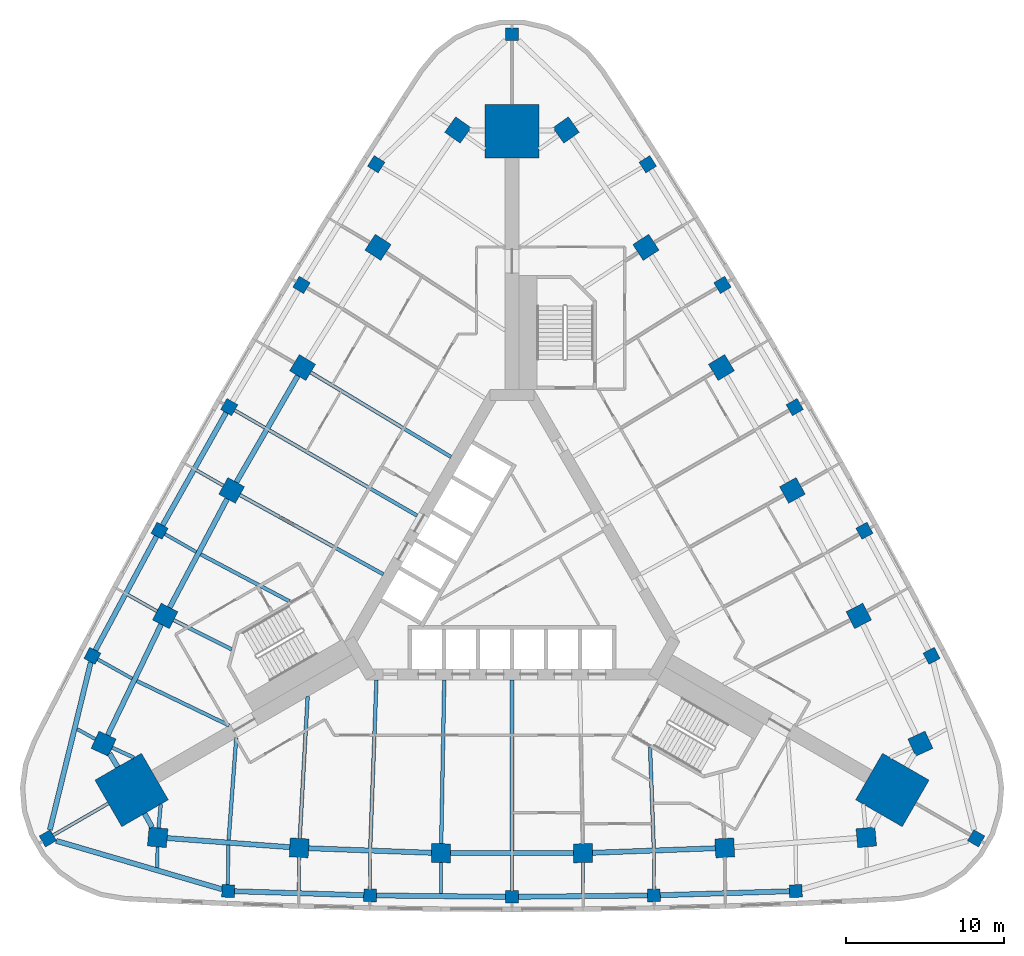
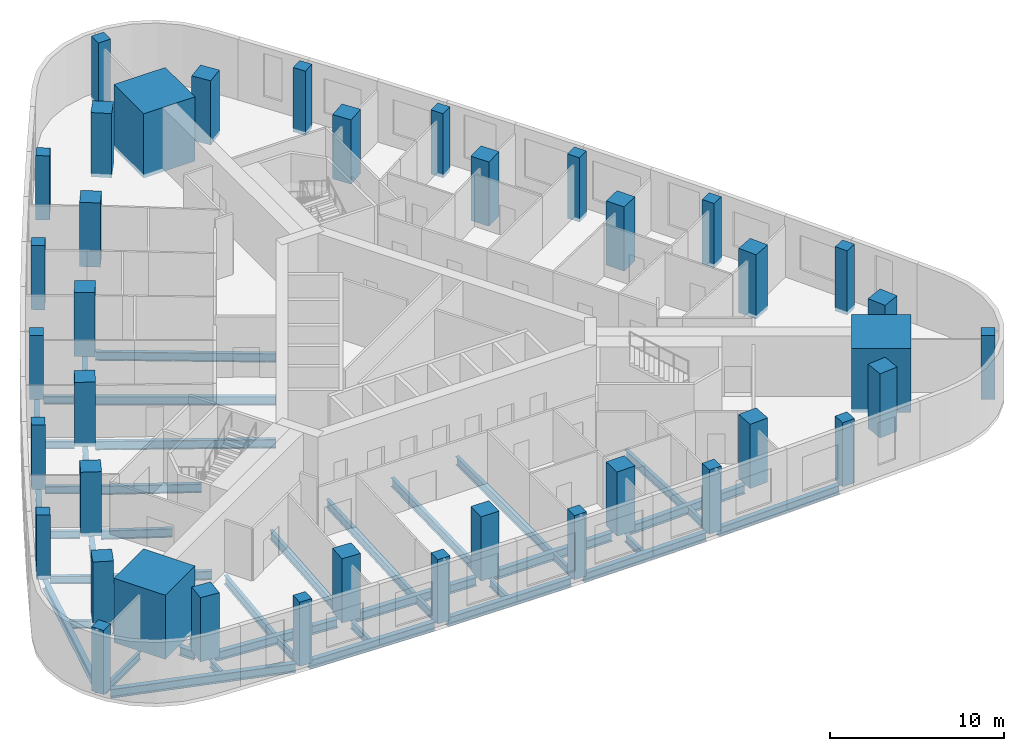
# One storey, part 1 of 11: 46 beams, 39 columns.
"""IFC4 building model written with IfcOpenShell, lengths in metres."""

from ifc_helpers import new_model, si_unit, direction, frame, origin, origin_2d, place, context, subcontext, project, spatial, rectangle, i_section, extrude, material, material_profile, profile_set, type_object, element, save


model = new_model("IFC4")

# Units and contexts
model_context = context("Model", 3, precision=1e-05, world=origin(), true_north=direction((0.0, 1.0)))
body_context = subcontext(model_context, "Body", "Model", "MODEL_VIEW")
ifc_project = project(units=[si_unit("LENGTHUNIT", "METRE"), si_unit("AREAUNIT", "SQUARE_METRE"), si_unit("VOLUMEUNIT", "CUBIC_METRE"), si_unit("PLANEANGLEUNIT", "RADIAN"), si_unit("MASSUNIT", "GRAM", prefix="KILO")], contexts=[model_context])

# Site, building, storey
site_placement = place(None, origin())
site = spatial("IfcSite", under=ifc_project, at=site_placement, CompositionType="ELEMENT")
building_placement = place(site_placement, origin())
building = spatial("IfcBuilding", under=site, at=building_placement, Name="Noor Cloister Tower", CompositionType="ELEMENT")
storey_placement = place(building_placement, frame((0.0, 0.0, 6.0)))
storey = spatial("IfcBuildingStorey", under=building, at=storey_placement, Name="L01", CompositionType="ELEMENT", Elevation=6.0)

# Columns
ifc_material_1 = material(Name="Concrete C80/95", Category="concrete")
ifc_material_profile_1 = material_profile(ifc_material_1, rectangle(XDim=3.39990234375, YDim=3.39990234375, at=origin_2d()), Name="RC 3400x3400")
ifc_profile_set_1 = profile_set([ifc_material_profile_1], Name="Concrete C80/95")
column_type_1 = type_object("IfcColumnType", Name="Corner pier 3400 x 3400 C80/95", PredefinedType="COLUMN", material=ifc_profile_set_1)
for number, where, z_axis, x_axis, name in (
    (1, (0.0, 27.7890625, -0.25), (0.0, 0.0, 1.0), (0.0, 1.0, 0.0), "Corner pier N L01"),
    (2, (-24.06591796875, -13.89453125, -0.25), (0.0, 0.0, 1.0), (-0.866025403784, -0.5, 0.0), "Corner pier SW L01"),
    (3, (24.06591796875, -13.89453125, -0.25), (0.0, 0.0, 1.0), (0.866025403784, -0.5, 0.0), "Corner pier SE L01"),
):
    element("IfcColumn", number, at=place(storey_placement, frame(where, z_axis=z_axis, x_axis=x_axis)), inside=storey, type_object=column_type_1, Name=name, PredefinedType="COLUMN", context=body_context, shape_type="SweptSolid", body=[
        extrude(rectangle(XDim=3.39990234375, YDim=3.39990234375, at=origin_2d()), origin(), (0.0, 0.0, 1.0), 4.5),
    ])
ifc_material_2 = material(Name="Concrete C80/95", Category="concrete")
ifc_material_profile_2 = material_profile(ifc_material_2, rectangle(XDim=1.199951171875, YDim=1.199951171875, at=origin_2d()), Name="Podium column 1200")
ifc_profile_set_2 = profile_set([ifc_material_profile_2], Name="Concrete C80/95")
column_type_2 = type_object("IfcColumnType", Name="Podium column 1200", PredefinedType="COLUMN", material=ifc_profile_set_2)
for number, where, z_axis, x_axis, name in (
    (4, (-3.421142578125, 27.85986328125, -0.25), (0.0, 0.0, 1.0), (-0.815983256934, 0.578075535205, 0.0), "Column NW 00"),
    (5, (-8.474853515625, 20.43798828125, -0.25), (0.0, 0.0, 1.0), (-0.836867705394, 0.547405191489, 0.0), "Column NW 02"),
    (6, (-13.249755859375, 12.833740234375, -0.25), (0.0, 0.0, 1.0), (-0.856599929156, 0.515981163775, 0.0), "Column NW 04"),
    (7, (-17.7392578125, 5.0576171875, -0.25), (0.0, 0.0, 1.0), (-0.875152760281, 0.483846717641, 0.0), "Column NW 06"),
    (8, (-21.937255859375, -2.879638671875, -0.25), (0.0, 0.0, 1.0), (-0.89250065469, 0.451046096733, 0.0), "Column NW 08"),
    (9, (-25.837890625, -10.96728515625, -0.25), (0.0, 0.0, 1.0), (-0.908619727261, 0.417624461966, 0.0), "Column NW 10"),
    (10, (-22.416748046875, -16.892578125, -0.25), (0.0, 0.0, 1.0), (-0.092636470327, -0.995699997171, 0.0), "Column S 00"),
    (11, (-13.46240234375, -17.558349609375, -0.25), (0.0, 0.0, 1.0), (-0.055632949296, -0.998451288222, 0.0), "Column S 02"),
    (12, (-4.489501953125, -17.8916015625, -0.25), (0.0, 0.0, 1.0), (-0.018552831126, -0.999827881416, 0.0), "Column S 04"),
    (13, (4.489501953125, -17.8916015625, -0.25), (0.0, 0.0, 1.0), (0.018552831126, -0.999827881416, 0.0), "Column S 06"),
    (14, (13.46240234375, -17.558349609375, -0.25), (0.0, 0.0, 1.0), (0.055632949296, -0.998451288222, 0.0), "Column S 08"),
    (15, (22.416748046875, -16.892578125, -0.25), (0.0, 0.0, 1.0), (0.092636470327, -0.995699997171, 0.0), "Column S 10"),
    (16, (25.837890625, -10.96728515625, -0.25), (0.0, 0.0, 1.0), (0.908619727261, 0.417624461966, 0.0), "Column NE 00"),
    (17, (21.937255859375, -2.879638671875, -0.25), (0.0, 0.0, 1.0), (0.89250065469, 0.451046096733, 0.0), "Column NE 02"),
    (18, (17.7392578125, 5.0576171875, -0.25), (0.0, 0.0, 1.0), (0.875152760281, 0.483846717641, 0.0), "Column NE 04"),
    (19, (13.249755859375, 12.833740234375, -0.25), (0.0, 0.0, 1.0), (0.856599929156, 0.515981163775, 0.0), "Column NE 06"),
    (20, (8.474853515625, 20.43798828125, -0.25), (0.0, 0.0, 1.0), (0.836867705394, 0.547405191489, 0.0), "Column NE 08"),
    (21, (3.421142578125, 27.85986328125, -0.25), (0.0, 0.0, 1.0), (0.815983256934, 0.578075535205, 0.0), "Column NE 10"),
):
    element("IfcColumn", number, at=place(storey_placement, frame(where, z_axis=z_axis, x_axis=x_axis)), inside=storey, type_object=column_type_2, Name=name, PredefinedType="COLUMN", context=body_context, shape_type="SweptSolid", body=[
        extrude(rectangle(XDim=1.199951171875, YDim=1.199951171875, at=origin_2d()), origin(), (0.0, 0.0, 1.0), 4.5),
    ])
ifc_material_3 = material(Name="Concrete C60/75", Category="concrete")
ifc_material_profile_3 = material_profile(ifc_material_3, rectangle(XDim=0.800048828125, YDim=0.800048828125, at=origin_2d()), Name="Podium column 800")
ifc_profile_set_3 = profile_set([ifc_material_profile_3], Name="Concrete C60/75")
column_type_3 = type_object("IfcColumnType", Name="Podium column 800", PredefinedType="COLUMN", material=ifc_profile_set_3)
for number, where, z_axis, x_axis, name in (
    (22, (0.0, 33.9130859375, -0.25), (0.0, 0.0, 1.0), (0.0, 1.0, 0.0), "Perimeter column N"),
    (23, (-8.59228515625, 25.694580078125, -0.25), (0.0, 0.0, 1.0), (-0.844762079338, 0.535142064607, 0.0), "Perimeter column NW 01"),
    (24, (-13.31982421875, 18.059326171875, -0.25), (0.0, 0.0, 1.0), (-0.855574189811, 0.517680215702, 0.0), "Perimeter column NW 03"),
    (25, (-17.8896484375, 10.32861328125, -0.25), (0.0, 0.0, 1.0), (-0.866025403784, 0.5, 0.0), "Perimeter column NW 05"),
    (26, (-22.2998046875, 2.505615234375, -0.25), (0.0, 0.0, 1.0), (-0.87611131274, 0.482108875348, 0.0), "Perimeter column NW 07"),
    (27, (-26.54833984375, -5.406005859375, -0.25), (0.0, 0.0, 1.0), (-0.885827662253, 0.464014388557, 0.0), "Perimeter column NW 09"),
    (28, (-29.36962890625, -16.95654296875, -0.25), (0.0, 0.0, 1.0), (-0.866025403784, -0.5, 0.0), "Perimeter column SW"),
    (29, (-17.955810546875, -20.288330078125, -0.25), (0.0, 0.0, 1.0), (-0.041065582914, -0.999156453164, 0.0), "Perimeter column S 01"),
    (30, (-8.979736328125, -20.56494140625, -0.25), (0.0, 0.0, 1.0), (-0.020537122929, -0.99978909105, 0.0), "Perimeter column S 03"),
    (31, (0.0, -20.6572265625, -0.25), (0.0, 0.0, 1.0), (0.0, -1.0, 0.0), "Perimeter column S 05"),
    (32, (8.979736328125, -20.56494140625, -0.25), (0.0, 0.0, 1.0), (0.020537122929, -0.99978909105, 0.0), "Perimeter column S 07"),
    (33, (17.955810546875, -20.288330078125, -0.25), (0.0, 0.0, 1.0), (0.041065582914, -0.999156453164, 0.0), "Perimeter column S 09"),
    (34, (29.36962890625, -16.95654296875, -0.25), (0.0, 0.0, 1.0), (0.866025403784, -0.5, 0.0), "Perimeter column SE"),
    (35, (26.54833984375, -5.406005859375, -0.25), (0.0, 0.0, 1.0), (0.885827662253, 0.464014388557, 0.0), "Perimeter column NE 01"),
    (36, (22.2998046875, 2.505615234375, -0.25), (0.0, 0.0, 1.0), (0.87611131274, 0.482108875348, 0.0), "Perimeter column NE 03"),
    (37, (17.8896484375, 10.32861328125, -0.25), (0.0, 0.0, 1.0), (0.866025403784, 0.5, 0.0), "Perimeter column NE 05"),
    (38, (13.31982421875, 18.059326171875, -0.25), (0.0, 0.0, 1.0), (0.855574189811, 0.517680215702, 0.0), "Perimeter column NE 07"),
    (39, (8.59228515625, 25.694580078125, -0.25), (0.0, 0.0, 1.0), (0.844762079338, 0.535142064607, 0.0), "Perimeter column NE 09"),
):
    element("IfcColumn", number, at=place(storey_placement, frame(where, z_axis=z_axis, x_axis=x_axis)), inside=storey, type_object=column_type_3, Name=name, PredefinedType="COLUMN", context=body_context, shape_type="SweptSolid", body=[
        extrude(rectangle(XDim=0.800048828125, YDim=0.800048828125, at=origin_2d()), origin(), (0.0, 0.0, 1.0), 4.5),
    ])

# Beams
ifc_material_4 = material(Name="Steel ASTM A992 Gr 50", Category="steel")
ifc_material_profile_4 = material_profile(ifc_material_4, i_section(OverallWidth=0.324951171875, OverallDepth=0.612060546875, WebThickness=0.0126953125, FlangeThickness=0.01904296875, FilletRadius=0.0126953125, at=origin_2d()), Name="W610x155")
ifc_profile_set_4 = profile_set([ifc_material_profile_4], Name="Steel ASTM A992 Gr 50")
beam_type_1 = type_object("IfcBeamType", Name="Podium column line beam W610x155", PredefinedType="BEAM", material=ifc_profile_set_4)
beam_1_placement = place(storey_placement, frame((-13.5498046875, 12.314208984375, -0.555908203125), z_axis=(-0.499990506207, -0.866030884959, 0.0), x_axis=(0.866030884959, -0.499990506207, 0.0)))
element("IfcBeam", 40, at=beam_1_placement, inside=storey, type_object=beam_type_1, Name="Podium column line beam NW 04 L01", PredefinedType="BEAM", context=body_context, shape_type="SweptSolid", body=[
    extrude(i_section(OverallWidth=0.324951171875, OverallDepth=0.612060546875, WebThickness=0.0126953125, FlangeThickness=0.01904296875, FilletRadius=0.0126953125, at=origin_2d()), origin(), (0.0, 0.0, 1.0), 7.779052734375),
])
for number, where, z_axis, x_axis, name in (
    (41, (-18.019775390625, 4.527099609375, -0.555908203125), (-0.467547366886, -0.883968019624, 0.0), (0.883968019624, -0.467547366886, 0.0), "Podium column line beam NW 06 L01"),
    (42, (-22.197998046875, -3.420166015625, -0.555908203125), (-0.434400589533, -0.900719783181, 0.0), (0.900719783181, -0.434400589533, 0.0), "Podium column line beam NW 08 L01"),
):
    element("IfcBeam", number, at=place(storey_placement, frame(where, z_axis=z_axis, x_axis=x_axis)), inside=storey, type_object=beam_type_1, Name=name, PredefinedType="BEAM", context=body_context, shape_type="SweptSolid", body=[
        extrude(i_section(OverallWidth=0.324951171875, OverallDepth=0.612060546875, WebThickness=0.0126953125, FlangeThickness=0.01904296875, FilletRadius=0.0126953125, at=origin_2d()), origin(), (0.0, 0.0, 1.0), 7.77880859375),
    ])
for number, where, z_axis, x_axis, name in (
    (43, (-21.818359375, -16.93701171875, -0.555908203125), (0.997246218275, -0.074161850945, 0.0), (0.074161850945, 0.997246218275, 0.0), "Podium column line beam S 00 L01"),
    (44, (-12.86279296875, -17.58056640625, -0.555908203125), (0.999311691731, -0.037096398343, 0.0), (0.037096398343, 0.999311691731, 0.0), "Podium column line beam S 02 L01"),
):
    element("IfcBeam", number, at=place(storey_placement, frame(where, z_axis=z_axis, x_axis=x_axis)), inside=storey, type_object=beam_type_1, Name=name, PredefinedType="BEAM", context=body_context, shape_type="SweptSolid", body=[
        extrude(i_section(OverallWidth=0.324951171875, OverallDepth=0.612060546875, WebThickness=0.0126953125, FlangeThickness=0.01904296875, FilletRadius=0.0126953125, at=origin_2d()), origin(), (0.0, 0.0, 1.0), 7.779052734375),
    ])
beam_2_placement = place(storey_placement, frame((-3.889404296875, -17.8916015625, -0.555908203125), z_axis=(1.0, 0.0, 0.0), x_axis=(0.0, 1.0, 0.0)))
element("IfcBeam", 45, at=beam_2_placement, inside=storey, type_object=beam_type_1, Name="Podium column line beam S 04 L01", PredefinedType="BEAM", context=body_context, shape_type="SweptSolid", body=[
    extrude(i_section(OverallWidth=0.324951171875, OverallDepth=0.612060546875, WebThickness=0.0126953125, FlangeThickness=0.01904296875, FilletRadius=0.0126953125, at=origin_2d()), origin(), (0.0, 0.0, 1.0), 7.77880859375),
])
beam_3_placement = place(storey_placement, frame((5.089111328125, -17.869140625, -0.555908203125), z_axis=(0.999311691731, 0.037096398343, 0.0), x_axis=(-0.037096398343, 0.999311691731, 0.0)))
element("IfcBeam", 46, at=beam_3_placement, inside=storey, type_object=beam_type_1, Name="Podium column line beam S 06 L01", PredefinedType="BEAM", context=body_context, shape_type="SweptSolid", body=[
    extrude(i_section(OverallWidth=0.324951171875, OverallDepth=0.612060546875, WebThickness=0.0126953125, FlangeThickness=0.01904296875, FilletRadius=0.0126953125, at=origin_2d()), origin(), (0.0, 0.0, 1.0), 7.779052734375),
])
for number, where, z_axis, x_axis, name in (
    (47, (-25.46240234375, -11.58740234375, -0.555908203125), (0.517698861359, -0.855562907651, 0.0), (0.855562907651, 0.517698861359, 0.0), "Podium end beam NW 10 L01"),
    (48, (-22.76611328125, -16.257568359375, -0.555908203125), (-0.48185292196, 0.876252110753, 0.0), (-0.876252110753, -0.48185292196, 0.0), "Podium end beam S 00 L01"),
):
    element("IfcBeam", number, at=place(storey_placement, frame(where, z_axis=z_axis, x_axis=x_axis)), inside=storey, type_object=beam_type_1, Name=name, PredefinedType="BEAM", context=body_context, shape_type="SweptSolid", body=[
        extrude(i_section(OverallWidth=0.324951171875, OverallDepth=0.612060546875, WebThickness=0.0126953125, FlangeThickness=0.01904296875, FilletRadius=0.0126953125, at=origin_2d()), origin(), (0.0, 0.0, 1.0), 0.99658203125),
    ])
ifc_material_5 = material(Name="Steel ASTM A992 Gr 50", Category="steel")
ifc_material_profile_5 = material_profile(ifc_material_5, i_section(OverallWidth=0.324951171875, OverallDepth=0.616943359375, WebThickness=0.013916015625, FlangeThickness=0.021484375, FilletRadius=0.0126953125, at=origin_2d()), Name="W610x174")
ifc_profile_set_5 = profile_set([ifc_material_profile_5], Name="Steel ASTM A992 Gr 50")
beam_type_2 = type_object("IfcBeamType", Name="Podium perimeter beam W610x174", PredefinedType="BEAM", material=ifc_profile_set_5)
for number, where, z_axis, x_axis, name in (
    (49, (-18.086181640625, 9.980224609375, -0.55859375), (-0.491071539523, -0.871119247331, 0.0), (0.871119247331, -0.491071539523, 0.0), "Podium perimeter beam 04 L01"),
    (50, (-22.489013671875, 2.1533203125, -0.55859375), (-0.47307258725, -0.881023454394, 0.0), (0.881023454394, -0.47307258725, 0.0), "Podium perimeter beam 05 L01"),
):
    element("IfcBeam", number, at=place(storey_placement, frame(where, z_axis=z_axis, x_axis=x_axis)), inside=storey, type_object=beam_type_2, Name=name, PredefinedType="BEAM", context=body_context, shape_type="SweptSolid", body=[
        extrude(i_section(OverallWidth=0.324951171875, OverallDepth=0.616943359375, WebThickness=0.013916015625, FlangeThickness=0.021484375, FilletRadius=0.0126953125, at=origin_2d()), origin(), (0.0, 0.0, 1.0), 8.18017578125),
    ])
for number, where, z_axis, x_axis, name in (
    (51, (-26.64599609375, -5.806396484375, -0.55859375), (-0.237289539542, -0.971438971024, 0.0), (0.971438971024, -0.237289539542, 0.0), "Podium perimeter beam 06 L01"),
    (52, (-28.83837890625, -17.111572265625, -0.55859375), (0.959935397728, -0.280221398522, 0.0), (0.280221398522, 0.959935397728, 0.0), "Podium perimeter beam 07 L01"),
):
    element("IfcBeam", number, at=place(storey_placement, frame(where, z_axis=z_axis, x_axis=x_axis)), inside=storey, type_object=beam_type_2, Name=name, PredefinedType="BEAM", context=body_context, shape_type="SweptSolid", body=[
        extrude(i_section(OverallWidth=0.324951171875, OverallDepth=0.616943359375, WebThickness=0.013916015625, FlangeThickness=0.021484375, FilletRadius=0.0126953125, at=origin_2d()), origin(), (0.0, 0.0, 1.0), 10.924560546875),
    ])
for number, where, z_axis, x_axis, name in (
    (53, (-17.55615234375, -20.30078125, -0.55859375), (0.999525578868, -0.030799629673, 0.0), (0.030799629673, 0.999525578868, 0.0), "Podium perimeter beam 08 L01"),
    (54, (-8.579833984375, -20.569091796875, -0.55859375), (0.999947297246, -0.010266583204, 0.0), (0.010266583204, 0.999947297246, 0.0), "Podium perimeter beam 09 L01"),
    (55, (0.39990234375, -20.653076171875, -0.55859375), (0.999947297246, 0.010266583204, 0.0), (-0.010266583204, 0.999947297246, 0.0), "Podium perimeter beam 10 L01"),
    (56, (9.379638671875, -20.552734375, -0.55859375), (0.999525578868, 0.030799629673, 0.0), (-0.030799629673, 0.999525578868, 0.0), "Podium perimeter beam 11 L01"),
):
    element("IfcBeam", number, at=place(storey_placement, frame(where, z_axis=z_axis, x_axis=x_axis)), inside=storey, type_object=beam_type_2, Name=name, PredefinedType="BEAM", context=body_context, shape_type="SweptSolid", body=[
        extrude(i_section(OverallWidth=0.324951171875, OverallDepth=0.616943359375, WebThickness=0.013916015625, FlangeThickness=0.021484375, FilletRadius=0.0126953125, at=origin_2d()), origin(), (0.0, 0.0, 1.0), 8.180419921875),
    ])
ifc_material_6 = material(Name="Steel ASTM A992 Gr 50", Category="steel")
ifc_material_profile_6 = material_profile(ifc_material_6, i_section(OverallWidth=0.22900390625, OverallDepth=0.612060546875, WebThickness=0.011962890625, FlangeThickness=0.01953125, FilletRadius=0.0126953125, at=origin_2d()), Name="W610x125")
ifc_profile_set_6 = profile_set([ifc_material_profile_6], Name="Steel ASTM A992 Gr 50")
beam_type_3 = type_object("IfcBeamType", Name="Podium radial beam W610x125", PredefinedType="BEAM", material=ifc_profile_set_6)
beam_4_placement = place(storey_placement, frame((-12.73583984375, 12.524169921875, -0.555908203125), z_axis=(0.856606308575, -0.515970572911, 0.0), x_axis=(0.515970572911, 0.856606308575, 0.0)))
element("IfcBeam", 57, at=beam_4_placement, inside=storey, type_object=beam_type_3, Name="Podium radial beam NW 04 L01", PredefinedType="BEAM", context=body_context, shape_type="SweptSolid", body=[
    extrude(i_section(OverallWidth=0.22900390625, OverallDepth=0.612060546875, WebThickness=0.011962890625, FlangeThickness=0.01953125, FilletRadius=0.0126953125, at=origin_2d()), origin(), (0.0, 0.0, 1.0), 10.365234375),
])
beam_5_placement = place(storey_placement, frame((-15.353759765625, 8.864501953125, -0.555908203125), z_axis=(0.866025607992, -0.499999646302, 0.0), x_axis=(0.499999646302, 0.866025607992, 0.0)))
element("IfcBeam", 58, at=beam_5_placement, inside=storey, type_object=beam_type_3, Name="Podium radial beam NW 05 L01", PredefinedType="BEAM", context=body_context, shape_type="SweptSolid", body=[
    extrude(i_section(OverallWidth=0.22900390625, OverallDepth=0.612060546875, WebThickness=0.011962890625, FlangeThickness=0.01953125, FilletRadius=0.0126953125, at=origin_2d()), origin(), (0.0, 0.0, 1.0), 10.80078125),
])
beam_6_placement = place(storey_placement, frame((-17.214111328125, 4.767333984375, -0.555908203125), z_axis=(0.875152039929, -0.483848020568, 0.0), x_axis=(0.483848020568, 0.875152039929, 0.0)))
element("IfcBeam", 59, at=beam_6_placement, inside=storey, type_object=beam_type_3, Name="Podium radial beam NW 06 L01", PredefinedType="BEAM", context=body_context, shape_type="SweptSolid", body=[
    extrude(i_section(OverallWidth=0.22900390625, OverallDepth=0.612060546875, WebThickness=0.011962890625, FlangeThickness=0.01953125, FilletRadius=0.0126953125, at=origin_2d()), origin(), (0.0, 0.0, 1.0), 10.364990234375),
])
beam_7_placement = place(storey_placement, frame((-19.694580078125, 1.01318359375, -0.555908203125), z_axis=(0.883972630555, -0.467538649129, 0.0), x_axis=(0.467538649129, 0.883972630555, 0.0)))
element("IfcBeam", 60, at=beam_7_placement, inside=storey, type_object=beam_type_3, Name="Podium radial beam NW 07 L01", PredefinedType="BEAM", context=body_context, shape_type="SweptSolid", body=[
    extrude(i_section(OverallWidth=0.22900390625, OverallDepth=0.612060546875, WebThickness=0.011962890625, FlangeThickness=0.01953125, FilletRadius=0.0126953125, at=origin_2d()), origin(), (0.0, 0.0, 1.0), 6.36328125),
])
beam_8_placement = place(storey_placement, frame((-21.401611328125, -3.150146484375, -0.555908203125), z_axis=(0.892482631296, -0.451081758481, 0.0), x_axis=(0.451081758481, 0.892482631296, 0.0)))
element("IfcBeam", 61, at=beam_8_placement, inside=storey, type_object=beam_type_3, Name="Podium radial beam NW 08 L01", PredefinedType="BEAM", context=body_context, shape_type="SweptSolid", body=[
    extrude(i_section(OverallWidth=0.22900390625, OverallDepth=0.612060546875, WebThickness=0.011962890625, FlangeThickness=0.01953125, FilletRadius=0.0126953125, at=origin_2d()), origin(), (0.0, 0.0, 1.0), 4.110595703125),
])
beam_9_placement = place(storey_placement, frame((-23.7412109375, -6.993896484375, -0.555908203125), z_axis=(0.900702438264, -0.43443655199, 0.0), x_axis=(0.43443655199, 0.900702438264, 0.0)))
element("IfcBeam", 62, at=beam_9_placement, inside=storey, type_object=beam_type_3, Name="Podium radial beam NW 09 L01", PredefinedType="BEAM", context=body_context, shape_type="SweptSolid", body=[
    extrude(i_section(OverallWidth=0.22900390625, OverallDepth=0.612060546875, WebThickness=0.011962890625, FlangeThickness=0.01953125, FilletRadius=0.0126953125, at=origin_2d()), origin(), (0.0, 0.0, 1.0), 6.489013671875),
])
for number, where, z_axis, x_axis, name in (
    (63, (-25.292724609375, -11.2177734375, -0.555908203125), (0.908602193803, -0.417662607157, 0.0), (0.417662607157, 0.908602193803, 0.0), "Podium radial beam NW 10 L01"),
    (64, (-22.361328125, -16.295166015625, -0.555908203125), (0.09269423525, 0.995694621233, 0.0), (-0.995694621233, 0.09269423525, 0.0), "Podium radial beam S 00 L01"),
):
    element("IfcBeam", number, at=place(storey_placement, frame(where, z_axis=z_axis, x_axis=x_axis)), inside=storey, type_object=beam_type_3, Name=name, PredefinedType="BEAM", context=body_context, shape_type="SweptSolid", body=[
        extrude(i_section(OverallWidth=0.22900390625, OverallDepth=0.612060546875, WebThickness=0.011962890625, FlangeThickness=0.01953125, FilletRadius=0.0126953125, at=origin_2d()), origin(), (0.0, 0.0, 1.0), 1.50927734375),
    ])
beam_10_placement = place(storey_placement, frame((-17.927490234375, -17.0634765625, -0.555908203125), z_axis=(0.074118366359, 0.997249451125, 0.0), x_axis=(-0.997249451125, 0.074118366359, 0.0)))
element("IfcBeam", 65, at=beam_10_placement, inside=storey, type_object=beam_type_3, Name="Podium radial beam S 01 L01", PredefinedType="BEAM", context=body_context, shape_type="SweptSolid", body=[
    extrude(i_section(OverallWidth=0.22900390625, OverallDepth=0.612060546875, WebThickness=0.011962890625, FlangeThickness=0.01953125, FilletRadius=0.0126953125, at=origin_2d()), origin(), (0.0, 0.0, 1.0), 6.489013671875),
])
beam_11_placement = place(storey_placement, frame((-13.428955078125, -16.959228515625, -0.555908203125), z_axis=(0.055623451445, 0.99845181739, 0.0), x_axis=(-0.99845181739, 0.055623451445, 0.0)))
element("IfcBeam", 66, at=beam_11_placement, inside=storey, type_object=beam_type_3, Name="Podium radial beam S 02 L01", PredefinedType="BEAM", context=body_context, shape_type="SweptSolid", body=[
    extrude(i_section(OverallWidth=0.22900390625, OverallDepth=0.612060546875, WebThickness=0.011962890625, FlangeThickness=0.01953125, FilletRadius=0.0126953125, at=origin_2d()), origin(), (0.0, 0.0, 1.0), 8.989013671875),
])
beam_12_placement = place(storey_placement, frame((-8.969970703125, -17.5625, -0.555908203125), z_axis=(0.037097363231, 0.999311655912, 0.0), x_axis=(-0.999311655912, 0.037097363231, 0.0)))
element("IfcBeam", 67, at=beam_12_placement, inside=storey, type_object=beam_type_3, Name="Podium radial beam S 03 L01", PredefinedType="BEAM", context=body_context, shape_type="SweptSolid", body=[
    extrude(i_section(OverallWidth=0.22900390625, OverallDepth=0.612060546875, WebThickness=0.011962890625, FlangeThickness=0.01953125, FilletRadius=0.0126953125, at=origin_2d()), origin(), (0.0, 0.0, 1.0), 10.6416015625),
])
beam_13_placement = place(storey_placement, frame((-4.478515625, -17.29150390625, -0.555908203125), z_axis=(0.018560692037, 0.999827735518, 0.0), x_axis=(-0.999827735518, 0.018560692037, 0.0)))
element("IfcBeam", 68, at=beam_13_placement, inside=storey, type_object=beam_type_3, Name="Podium radial beam S 04 L01", PredefinedType="BEAM", context=body_context, shape_type="SweptSolid", body=[
    extrude(i_section(OverallWidth=0.22900390625, OverallDepth=0.612060546875, WebThickness=0.011962890625, FlangeThickness=0.01953125, FilletRadius=0.0126953125, at=origin_2d()), origin(), (0.0, 0.0, 1.0), 10.364990234375),
])
beam_14_placement = place(storey_placement, frame((0.0, -17.72900390625, -0.555908203125), z_axis=(0.0, 1.0, 0.0), x_axis=(-1.0, 0.0, 0.0)))
element("IfcBeam", 69, at=beam_14_placement, inside=storey, type_object=beam_type_3, Name="Podium radial beam S 05 L01", PredefinedType="BEAM", context=body_context, shape_type="SweptSolid", body=[
    extrude(i_section(OverallWidth=0.22900390625, OverallDepth=0.612060546875, WebThickness=0.011962890625, FlangeThickness=0.01953125, FilletRadius=0.0126953125, at=origin_2d()), origin(), (0.0, 0.0, 1.0), 10.80078125),
])
beam_15_placement = place(storey_placement, frame((8.969970703125, -17.5625, -0.555908203125), z_axis=(-0.037101061142, 0.999311518628, 0.0), x_axis=(-0.999311518628, -0.037101061142, 0.0)))
element("IfcBeam", 70, at=beam_15_placement, inside=storey, type_object=beam_type_3, Name="Podium radial beam S 07 L01", PredefinedType="BEAM", context=body_context, shape_type="SweptSolid", body=[
    extrude(i_section(OverallWidth=0.22900390625, OverallDepth=0.612060546875, WebThickness=0.011962890625, FlangeThickness=0.01953125, FilletRadius=0.0126953125, at=origin_2d()), origin(), (0.0, 0.0, 1.0), 6.36328125),
])
ifc_material_7 = material(Name="Steel ASTM A992 Gr 50", Category="steel")
ifc_material_profile_7 = material_profile(ifc_material_7, i_section(OverallWidth=0.208984375, OverallDepth=0.532958984375, WebThickness=0.01025390625, FlangeThickness=0.015625, FilletRadius=0.0126953125, at=origin_2d()), Name="W530x92")
ifc_profile_set_7 = profile_set([ifc_material_profile_7], Name="Steel ASTM A992 Gr 50")
beam_type_4 = type_object("IfcBeamType", Name="Podium stub beam W530x92", PredefinedType="BEAM", material=ifc_profile_set_7)
beam_16_placement = place(storey_placement, frame((-15.63525390625, 9.027099609375, -0.5166015625), z_axis=(-0.86602503688, 0.500000635496, 0.0), x_axis=(-0.500000635496, -0.86602503688, 0.0)))
element("IfcBeam", 71, at=beam_16_placement, inside=storey, type_object=beam_type_4, Name="Podium stub beam NW 05 L01", PredefinedType="BEAM", context=body_context, shape_type="SweptSolid", body=[
    extrude(i_section(OverallWidth=0.208984375, OverallDepth=0.532958984375, WebThickness=0.01025390625, FlangeThickness=0.015625, FilletRadius=0.0126953125, at=origin_2d()), origin(), (0.0, 0.0, 1.0), 2.203125),
])
beam_17_placement = place(storey_placement, frame((-18.259765625, 5.356201171875, -0.5166015625), z_axis=(-0.867389720101, 0.497629453974, 0.0), x_axis=(-0.497629453974, -0.867389720101, 0.0)))
element("IfcBeam", 72, at=beam_17_placement, inside=storey, type_object=beam_type_4, Name="Podium stub beam NW 06 L01", PredefinedType="BEAM", context=body_context, shape_type="SweptSolid", body=[
    extrude(i_section(OverallWidth=0.208984375, OverallDepth=0.532958984375, WebThickness=0.01025390625, FlangeThickness=0.015625, FilletRadius=0.0126953125, at=origin_2d()), origin(), (0.0, 0.0, 1.0), 1.95703125),
])
beam_18_placement = place(storey_placement, frame((-19.980224609375, 1.16845703125, -0.5166015625), z_axis=(-0.868954795395, 0.494891466446, 0.0), x_axis=(-0.494891466446, -0.868954795395, 0.0)))
element("IfcBeam", 73, at=beam_18_placement, inside=storey, type_object=beam_type_4, Name="Podium stub beam NW 07 L01", PredefinedType="BEAM", context=body_context, shape_type="SweptSolid", body=[
    extrude(i_section(OverallWidth=0.208984375, OverallDepth=0.532958984375, WebThickness=0.01025390625, FlangeThickness=0.015625, FilletRadius=0.0126953125, at=origin_2d()), origin(), (0.0, 0.0, 1.0), 2.277099609375),
])
beam_19_placement = place(storey_placement, frame((-22.460205078125, -2.583984375, -0.5166015625), z_axis=(-0.870610366402, 0.491973159748, 0.0), x_axis=(-0.491973159748, -0.870610366402, 0.0)))
element("IfcBeam", 74, at=beam_19_placement, inside=storey, type_object=beam_type_4, Name="Podium stub beam NW 08 L01", PredefinedType="BEAM", context=body_context, shape_type="SweptSolid", body=[
    extrude(i_section(OverallWidth=0.208984375, OverallDepth=0.532958984375, WebThickness=0.01025390625, FlangeThickness=0.015625, FilletRadius=0.0126953125, at=origin_2d()), origin(), (0.0, 0.0, 1.0), 2.1044921875),
])
beam_20_placement = place(storey_placement, frame((-24.03076171875, -6.84619140625, -0.5166015625), z_axis=(-0.872502684482, 0.488609317933, 0.0), x_axis=(-0.488609317933, -0.872502684482, 0.0)))
element("IfcBeam", 75, at=beam_20_placement, inside=storey, type_object=beam_type_4, Name="Podium stub beam NW 09 L01", PredefinedType="BEAM", context=body_context, shape_type="SweptSolid", body=[
    extrude(i_section(OverallWidth=0.208984375, OverallDepth=0.532958984375, WebThickness=0.01025390625, FlangeThickness=0.015625, FilletRadius=0.0126953125, at=origin_2d()), origin(), (0.0, 0.0, 1.0), 2.499267578125),
])
beam_21_placement = place(storey_placement, frame((-26.3642578125, -10.675537109375, -0.5166015625), z_axis=(-0.874735573686, 0.484600532531, 0.0), x_axis=(-0.484600532531, -0.874735573686, 0.0)))
element("IfcBeam", 76, at=beam_21_placement, inside=storey, type_object=beam_type_4, Name="Podium stub beam NW 10 L01", PredefinedType="BEAM", context=body_context, shape_type="SweptSolid", body=[
    extrude(i_section(OverallWidth=0.208984375, OverallDepth=0.532958984375, WebThickness=0.01025390625, FlangeThickness=0.015625, FilletRadius=0.0126953125, at=origin_2d()), origin(), (0.0, 0.0, 1.0), 1.31298828125),
])
beam_22_placement = place(storey_placement, frame((-22.427490234375, -17.494140625, -0.5166015625), z_axis=(-0.017661803966, -0.999844018175, 0.0), x_axis=(0.999844018175, -0.017661803966, 0.0)))
element("IfcBeam", 77, at=beam_22_placement, inside=storey, type_object=beam_type_4, Name="Podium stub beam S 00 L01", PredefinedType="BEAM", context=body_context, shape_type="SweptSolid", body=[
    extrude(i_section(OverallWidth=0.208984375, OverallDepth=0.532958984375, WebThickness=0.01025390625, FlangeThickness=0.015625, FilletRadius=0.0126953125, at=origin_2d()), origin(), (0.0, 0.0, 1.0), 1.313232421875),
])
beam_23_placement = place(storey_placement, frame((-17.9443359375, -17.38818359375, -0.5166015625), z_axis=(-0.013089929593, -0.999914323201, 0.0), x_axis=(0.999914323201, -0.013089929593, 0.0)))
element("IfcBeam", 78, at=beam_23_placement, inside=storey, type_object=beam_type_4, Name="Podium stub beam S 01 L01", PredefinedType="BEAM", context=body_context, shape_type="SweptSolid", body=[
    extrude(i_section(OverallWidth=0.208984375, OverallDepth=0.532958984375, WebThickness=0.01025390625, FlangeThickness=0.015625, FilletRadius=0.0126953125, at=origin_2d()), origin(), (0.0, 0.0, 1.0), 2.499267578125),
])
beam_24_placement = place(storey_placement, frame((-13.468017578125, -18.158935546875, -0.5166015625), z_axis=(-0.009163285382, -0.999958016219, 0.0), x_axis=(0.999958016219, -0.009163285382, 0.0)))
element("IfcBeam", 79, at=beam_24_placement, inside=storey, type_object=beam_type_4, Name="Podium stub beam S 02 L01", PredefinedType="BEAM", context=body_context, shape_type="SweptSolid", body=[
    extrude(i_section(OverallWidth=0.208984375, OverallDepth=0.532958984375, WebThickness=0.01025390625, FlangeThickness=0.015625, FilletRadius=0.0126953125, at=origin_2d()), origin(), (0.0, 0.0, 1.0), 2.104736328125),
])
beam_25_placement = place(storey_placement, frame((-8.978271484375, -17.887451171875, -0.5166015625), z_axis=(-0.005788925298, -0.999983244032, 0.0), x_axis=(0.999983244032, -0.005788925298, 0.0)))
element("IfcBeam", 80, at=beam_25_placement, inside=storey, type_object=beam_type_4, Name="Podium stub beam S 03 L01", PredefinedType="BEAM", context=body_context, shape_type="SweptSolid", body=[
    extrude(i_section(OverallWidth=0.208984375, OverallDepth=0.532958984375, WebThickness=0.01025390625, FlangeThickness=0.015625, FilletRadius=0.0126953125, at=origin_2d()), origin(), (0.0, 0.0, 1.0), 2.27734375),
])
beam_26_placement = place(storey_placement, frame((-4.4912109375, -18.49169921875, -0.5166015625), z_axis=(-0.002869607648, -0.999995882667, 0.0), x_axis=(0.999995882667, -0.002869607648, 0.0)))
element("IfcBeam", 81, at=beam_26_placement, inside=storey, type_object=beam_type_4, Name="Podium stub beam S 04 L01", PredefinedType="BEAM", context=body_context, shape_type="SweptSolid", body=[
    extrude(i_section(OverallWidth=0.208984375, OverallDepth=0.532958984375, WebThickness=0.01025390625, FlangeThickness=0.015625, FilletRadius=0.0126953125, at=origin_2d()), origin(), (0.0, 0.0, 1.0), 1.956787109375),
])
beam_27_placement = place(storey_placement, frame((0.0, -18.053955078125, -0.5166015625), z_axis=(0.0, -1.0, 0.0), x_axis=(1.0, 0.0, 0.0)))
element("IfcBeam", 82, at=beam_27_placement, inside=storey, type_object=beam_type_4, Name="Podium stub beam S 05 L01", PredefinedType="BEAM", context=body_context, shape_type="SweptSolid", body=[
    extrude(i_section(OverallWidth=0.208984375, OverallDepth=0.532958984375, WebThickness=0.01025390625, FlangeThickness=0.015625, FilletRadius=0.0126953125, at=origin_2d()), origin(), (0.0, 0.0, 1.0), 2.203369140625),
])
beam_28_placement = place(storey_placement, frame((4.4912109375, -18.49169921875, -0.5166015625), z_axis=(0.002869607648, -0.999995882667, 0.0), x_axis=(0.999995882667, 0.002869607648, 0.0)))
element("IfcBeam", 83, at=beam_28_placement, inside=storey, type_object=beam_type_4, Name="Podium stub beam S 06 L01", PredefinedType="BEAM", context=body_context, shape_type="SweptSolid", body=[
    extrude(i_section(OverallWidth=0.208984375, OverallDepth=0.532958984375, WebThickness=0.01025390625, FlangeThickness=0.015625, FilletRadius=0.0126953125, at=origin_2d()), origin(), (0.0, 0.0, 1.0), 1.956787109375),
])
beam_29_placement = place(storey_placement, frame((8.978271484375, -17.887451171875, -0.5166015625), z_axis=(0.005788925298, -0.999983244032, 0.0), x_axis=(0.999983244032, 0.005788925298, 0.0)))
element("IfcBeam", 84, at=beam_29_placement, inside=storey, type_object=beam_type_4, Name="Podium stub beam S 07 L01", PredefinedType="BEAM", context=body_context, shape_type="SweptSolid", body=[
    extrude(i_section(OverallWidth=0.208984375, OverallDepth=0.532958984375, WebThickness=0.01025390625, FlangeThickness=0.015625, FilletRadius=0.0126953125, at=origin_2d()), origin(), (0.0, 0.0, 1.0), 2.27734375),
])
beam_30_placement = place(storey_placement, frame((-25.538330078125, -14.744384765625, -0.5166015625), z_axis=(-0.866001699761, -0.500041054325, 0.0), x_axis=(0.500041054325, -0.866001699761, 0.0)))
element("IfcBeam", 85, at=beam_30_placement, inside=storey, type_object=beam_type_4, Name="Podium corner stub beam SW L01", PredefinedType="BEAM", context=body_context, shape_type="SweptSolid", body=[
    extrude(i_section(OverallWidth=0.208984375, OverallDepth=0.532958984375, WebThickness=0.01025390625, FlangeThickness=0.015625, FilletRadius=0.0126953125, at=origin_2d()), origin(), (0.0, 0.0, 1.0), 4.024169921875),
])

save(model, "model.ifc")
